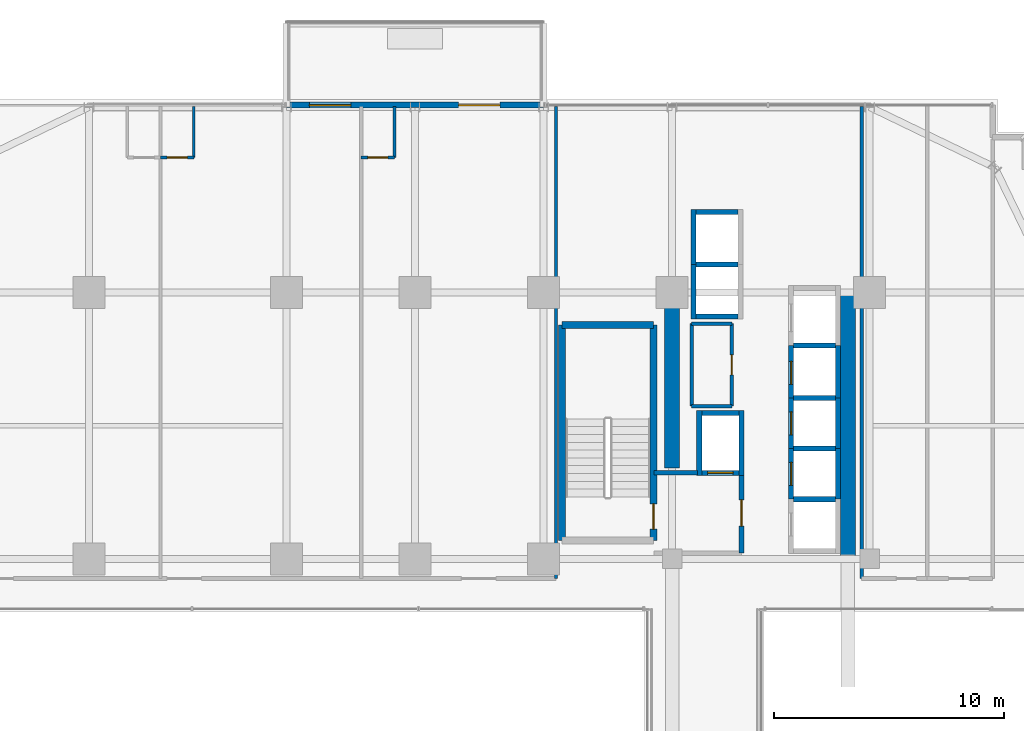
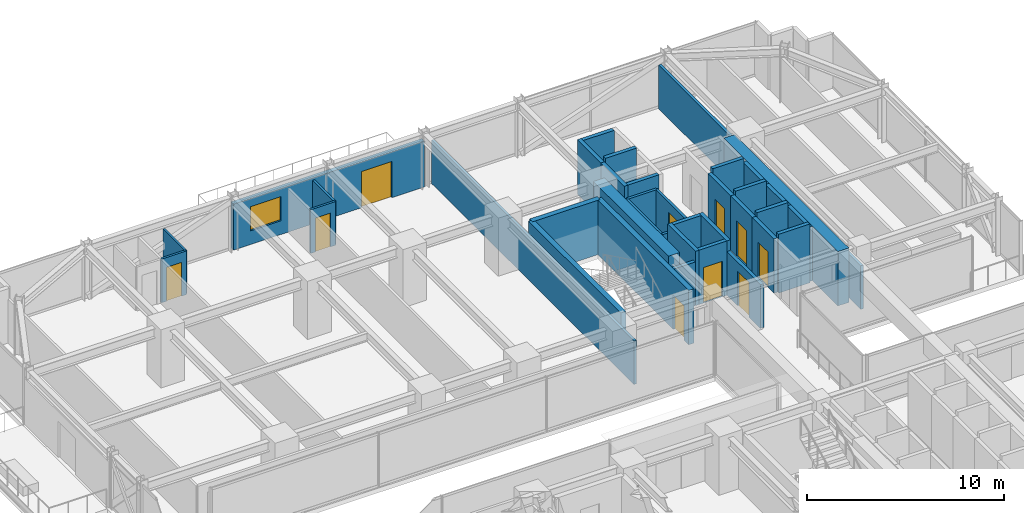
# One storey, part 38 of 43: 37 walls, 10 doors, 1 window, 11 openings.
"""IFC4 building model written with IfcOpenShell, lengths in metres."""

import ifcopenshell
import ifcopenshell.guid

model = None  # the IFC model being written
_history = None  # IfcOwnerHistory: only IFC2X3 demands one
_inside = {}  # id of a spatial element -> (the spatial element, [elements in it])
_under = {}  # id of a project, library or spatial element -> (it, [spatial elements below it])
_declared = {}  # id of a project -> (the project, [libraries it declares])
_typed = {}  # id of a type object -> (the type object, [elements of that type])
_made_of = {}  # id of a material, layer set ... -> (it, [elements and type objects made of it])


def new_model(schema):
    """Start an empty IFC model of exactly this schema.

    Asked for "IFC4X3", IfcOpenShell would pick the latest addendum, in which some entities
    have other attributes; the version numbers below select the first issue.
    IFC2X3 requires an IfcOwnerHistory on every rooted entity: one is made here for all.
    """
    global model, _history
    if schema == "IFC4X3":
        model = ifcopenshell.file(schema_version=(4, 3, 0, 0))
    else:
        model = ifcopenshell.file(schema=schema)
    _inside.clear()
    _under.clear()
    _declared.clear()
    _typed.clear()
    _made_of.clear()
    _history = None
    if model.schema == "IFC2X3":
        org = make("IfcOrganization", Name="unknown")
        user = make(
            "IfcPersonAndOrganization",
            ThePerson=make("IfcPerson", FamilyName="unknown"),
            TheOrganization=org,
        )
        app = make(
            "IfcApplication",
            ApplicationDeveloper=org,
            Version="unknown",
            ApplicationFullName="unknown",
            ApplicationIdentifier="unknown",
        )
        _history = make(
            "IfcOwnerHistory",
            OwningUser=user,
            OwningApplication=app,
            ChangeAction="ADDED",
            CreationDate=0,
        )
    return model


def make(cls, **values):
    """One entity of the class cls with the attributes given. An attribute that is None is left unset."""
    return model.create_entity(
        cls, **{name: value for name, value in values.items() if value is not None}
    )


def rooted(cls, **values):
    """An entity with a GlobalId (a new one), such as an element, a storey or a relation."""
    return make(cls, GlobalId=ifcopenshell.guid.new(), OwnerHistory=_history, **values)


def si_unit(unit_type, name, prefix=None):
    """IfcSIUnit, for example si_unit("LENGTHUNIT", "METRE", prefix="MILLI")."""
    return make("IfcSIUnit", UnitType=unit_type, Prefix=prefix, Name=name)


def assignment(units):
    """IfcUnitAssignment: the units of a project."""
    return None if units is None else make("IfcUnitAssignment", Units=units)


def point(xyz):
    """IfcCartesianPoint."""
    return None if xyz is None else make("IfcCartesianPoint", Coordinates=xyz)


def direction(xyz):
    """IfcDirection."""
    return None if xyz is None else make("IfcDirection", DirectionRatios=xyz)


def frame(location, z_axis=None, x_axis=None):
    """IfcAxis2Placement3D, a coordinate frame: its origin and axes. An axis left out is left unset."""
    return make(
        "IfcAxis2Placement3D",
        Location=point(location),
        Axis=direction(z_axis),
        RefDirection=direction(x_axis),
    )


def frame_2d(location, x_axis=None):
    """IfcAxis2Placement2D, a coordinate frame in the plane: its origin and x axis."""
    return make(
        "IfcAxis2Placement2D", Location=point(location), RefDirection=direction(x_axis)
    )


def origin():
    """The frame at (0, 0, 0) with its axes left unset."""
    return frame((0.0, 0.0, 0.0))


def place(relative_to, where):
    """IfcLocalPlacement: puts the frame where relative to a parent placement (None: the world)."""
    return make(
        "IfcLocalPlacement", PlacementRelTo=relative_to, RelativePlacement=where
    )


def context(
    kind, dimensions, precision=None, world=None, true_north=None, identifier=None
):
    """IfcGeometricRepresentationContext, for example the 3D "Model" context."""
    return make(
        "IfcGeometricRepresentationContext",
        ContextIdentifier=identifier,
        ContextType=kind,
        CoordinateSpaceDimension=dimensions,
        Precision=precision,
        WorldCoordinateSystem=world,
        TrueNorth=true_north,
    )


def subcontext(parent, identifier, kind, view, scale=None):
    """IfcGeometricRepresentationSubContext, for example "Body" below "Model"."""
    return make(
        "IfcGeometricRepresentationSubContext",
        ContextIdentifier=identifier,
        ContextType=kind,
        ParentContext=parent,
        TargetScale=scale,
        TargetView=view,
    )


def project(units=None, contexts=None):
    """IfcProject with its units and contexts."""
    return rooted(
        "IfcProject",
        Name="project",
        RepresentationContexts=contexts,
        UnitsInContext=assignment(units),
    )


def spatial(cls, under=None, at=None, **own):
    """A site, building, storey or space (cls), placed at a placement, below another one or the project."""
    s = rooted(cls, ObjectPlacement=at, **own)
    if under is not None:
        _under.setdefault(under.id(), (under, []))[1].append(s)
    return s


def profile(cls, at=None, kind="AREA", **sizes):
    """A parametric profile (cls). Its sizes go by their IFC names, for example OverallWidth=200.0."""
    return make(cls, ProfileType=kind, Position=at, **sizes)


def rectangle(**sizes):
    """IfcRectangleProfileDef."""
    return profile("IfcRectangleProfileDef", **sizes)


def extrude(swept, where, along, depth):
    """IfcExtrudedAreaSolid: the profile swept, set in the frame where, extruded along a direction by depth."""
    return make(
        "IfcExtrudedAreaSolid",
        SweptArea=swept,
        Position=where,
        ExtrudedDirection=direction(along),
        Depth=depth,
    )


def shape(context_of_items, identifier, shape_type, items):
    """IfcShapeRepresentation: the items that make up one representation, for example the "Body"."""
    return make(
        "IfcShapeRepresentation",
        ContextOfItems=context_of_items,
        RepresentationIdentifier=identifier,
        RepresentationType=shape_type,
        Items=items,
    )


def source(mapping_origin, context_of_items, identifier, shape_type, items):
    """IfcRepresentationMap: a shape defined once, which mapped items show again and again."""
    return make(
        "IfcRepresentationMap",
        MappingOrigin=mapping_origin,
        MappedRepresentation=shape(context_of_items, identifier, shape_type, items),
    )


def transform(
    local_origin,
    x_axis=None,
    y_axis=None,
    z_axis=None,
    scale=None,
    scale2=None,
    scale3=None,
    uniform=True,
):
    """IfcCartesianTransformationOperator3D, or its non-uniform kind. x_axis, y_axis, z_axis: its Axis1, 2, 3."""
    if uniform:
        return make(
            "IfcCartesianTransformationOperator3D",
            Axis1=direction(x_axis),
            Axis2=direction(y_axis),
            LocalOrigin=point(local_origin),
            Scale=scale,
            Axis3=direction(z_axis),
        )
    return make(
        "IfcCartesianTransformationOperator3DnonUniform",
        Axis1=direction(x_axis),
        Axis2=direction(y_axis),
        LocalOrigin=point(local_origin),
        Scale=scale,
        Axis3=direction(z_axis),
        Scale2=scale2,
        Scale3=scale3,
    )


def mapped(mapping_source, mapping_target):
    """IfcMappedItem: shows the shape of a source again, moved by a transform."""
    return make(
        "IfcMappedItem", MappingSource=mapping_source, MappingTarget=mapping_target
    )


def material(Name=None, Category=None):
    """IfcMaterial."""
    return make("IfcMaterial", Name=Name, Category=Category)


def layer(
    of_material, thickness, ventilated=None, Name=None, Category=None, Priority=None
):
    """IfcMaterialLayer: one layer of a wall or slab, of a material (None: an air gap)."""
    return make(
        "IfcMaterialLayer",
        Material=of_material,
        LayerThickness=thickness,
        IsVentilated=ventilated,
        Name=Name,
        Category=Category,
        Priority=Priority,
    )


def layer_set(layers, Name=None):
    """IfcMaterialLayerSet."""
    return make("IfcMaterialLayerSet", MaterialLayers=layers, LayerSetName=Name)


def made_of(thing, what):
    """Note that an element or type object is made of a material, layer set ...; save() writes the relation."""
    if what is not None:
        _made_of.setdefault(what.id(), (what, []))[1].append(thing)
    return thing


def type_object(cls, material=None, **own):
    """A type object (cls), such as IfcWallType, which elements share."""
    return made_of(rooted(cls, **own), material)


def element(
    cls,
    number,
    at=None,
    inside=None,
    cuts=None,
    type_object=None,
    material=None,
    context=None,
    identifier="Body",
    shape_type=None,
    held_by="IfcProductDefinitionShape",
    body=None,
    shapes=None,
    **own,
):
    """One element of the class cls, such as IfcWall. Its Tag is "e" and its number.

    at: its placement. inside: the storey or other place that contains it. cuts: it is an
    opening in that element (IfcRelVoidsElement). A single representation is given by context,
    identifier, shape_type and body (its items); several are given by shapes. held_by: the class
    of the entity that holds the representations. save() writes the other relations.
    """
    e = rooted(cls, Tag="e%d" % number, ObjectPlacement=at, **own)
    if body is not None:
        shapes = [shape(context, identifier, shape_type, body)]
    if shapes is not None:
        e.Representation = make(held_by, Representations=shapes)
    if inside is not None:
        _inside.setdefault(inside.id(), (inside, []))[1].append(e)
    if cuts is not None:
        rooted(
            "IfcRelVoidsElement", RelatingBuildingElement=cuts, RelatedOpeningElement=e
        )
    if type_object is not None:
        _typed.setdefault(type_object.id(), (type_object, []))[1].append(e)
    return made_of(e, material)


def fill(opening, filler):
    """IfcRelFillsElement: the door or window that sits in an opening."""
    return rooted(
        "IfcRelFillsElement",
        RelatingOpeningElement=opening,
        RelatedBuildingElement=filler,
    )


def aggregate(whole, parts):
    """IfcRelAggregates: a whole, such as a stair, and the parts it consists of."""
    return rooted("IfcRelAggregates", RelatingObject=whole, RelatedObjects=parts)


def save(model, path):
    """Write the relations noted so far, then the file.

    IfcRelAggregates (storeys below a building ...), IfcRelContainedInSpatialStructure (elements
    in a storey), IfcRelDefinesByType, IfcRelAssociatesMaterial and IfcRelDeclares: one each for
    every whole, place, type object, material and project.
    """
    for whole, parts in _under.values():
        aggregate(whole, parts)
    for where, things in _inside.values():
        rooted(
            "IfcRelContainedInSpatialStructure",
            RelatedElements=things,
            RelatingStructure=where,
        )
    for kind, things in _typed.values():
        rooted("IfcRelDefinesByType", RelatedObjects=things, RelatingType=kind)
    for what, things in _made_of.values():
        rooted("IfcRelAssociatesMaterial", RelatedObjects=things, RelatingMaterial=what)
    for by, libraries in _declared.values():
        rooted("IfcRelDeclares", RelatingContext=by, RelatedDefinitions=libraries)
    model.write(path)


model = new_model("IFC4")

# Units and contexts
model_context = context("Model", 3, precision=1e-05, world=origin(), true_north=direction((0.0, 1.0)))
body_context = subcontext(model_context, "Body", "Model", "MODEL_VIEW")
ifc_project = project(units=[si_unit("LENGTHUNIT", "METRE"), si_unit("AREAUNIT", "SQUARE_METRE"), si_unit("VOLUMEUNIT", "CUBIC_METRE"), si_unit("PLANEANGLEUNIT", "RADIAN"), si_unit("MASSUNIT", "GRAM", prefix="KILO")], contexts=[model_context])

# Site, building, storey
site_placement = place(None, origin())
site = spatial("IfcSite", under=ifc_project, at=site_placement, CompositionType="ELEMENT")
building_placement = place(site_placement, origin())
building = spatial("IfcBuilding", under=site, at=building_placement, Name="Nahalor Promenade Grand Hotel", CompositionType="ELEMENT")
storey_placement = place(building_placement, frame((0.0, 0.0, 47.0)))
storey = spatial("IfcBuildingStorey", under=building, at=storey_placement, Name="L10", CompositionType="ELEMENT", Elevation=47.0)

# Walls
ifc_material_1 = material(Name="Concrete B-60 (C50/60)", Category="concrete")
ifc_layer_1 = layer(ifc_material_1, 0.64990234375)
ifc_layer_set_1 = layer_set([ifc_layer_1], Name="Concrete B-60 (C50/60)")
wall_type_1 = type_object("IfcWallType", Name="Wall-CoreShear-650", PredefinedType="SHEAR", material=ifc_layer_set_1)
shared_shape_1 = source(origin(), body_context, "Body", "SweptSolid", [
    extrude(rectangle(XDim=7.64990234375, YDim=0.64990234375, at=frame_2d((3.824951171875, 0.0))), origin(), (0.0, 0.0, 1.0), 3.3701171875),
])
wall_1_placement = place(storey_placement, frame((8.39990234375, 9.35009765625, 0.0), z_axis=(0.0, 0.0, 1.0), x_axis=(0.0, 1.0, 0.0)))
element("IfcWall", 1, at=wall_1_placement, inside=storey, type_object=wall_type_1, Name="CWALL-L10-NW", PredefinedType="SHEAR", context=body_context, shape_type="MappedRepresentation", body=[
    mapped(shared_shape_1, transform((0.0, 0.0, 0.0), scale=1.0)),
])
shared_shape_2 = source(origin(), body_context, "Body", "SweptSolid", [
    extrude(rectangle(XDim=11.60009765625, YDim=0.64990234375, at=frame_2d((5.800048828125, 0.0))), origin(), (0.0, 0.0, 1.0), 3.3701171875),
])
wall_2_placement = place(storey_placement, frame((16.050048828125, 5.39990234375, 0.0), z_axis=(0.0, 0.0, 1.0), x_axis=(0.0, 1.0, 0.0)))
element("IfcWall", 2, at=wall_2_placement, inside=storey, type_object=wall_type_1, Name="CWALL-L10-NE", PredefinedType="SHEAR", context=body_context, shape_type="MappedRepresentation", body=[
    mapped(shared_shape_2, transform((0.0, 0.0, 0.0), scale=1.0)),
])
ifc_material_2 = material(Name="Concrete B-50 (C40/50)", Category="concrete")
ifc_layer_2 = layer(ifc_material_2, 0.300048828125)
ifc_layer_set_2 = layer_set([ifc_layer_2], Name="Concrete B-50 (C40/50)")
wall_type_2 = type_object("IfcWallType", Name="Wall-ShaftShear-300", PredefinedType="SHEAR", material=ifc_layer_set_2)
shared_shape_3 = source(origin(), body_context, "Body", "SweptSolid", [
    extrude(rectangle(XDim=3.97998046875, YDim=0.300048828125, at=frame_2d((1.989990234375, 0.0))), origin(), (0.0, 0.0, 1.0), 3.3701171875),
])
wall_3_placement = place(storey_placement, frame((3.610107421875, 15.590087890625, 0.0), z_axis=(0.0, 0.0, 1.0), x_axis=(1.0, 0.0, 0.0)))
element("IfcWall", 3, at=wall_3_placement, inside=storey, type_object=wall_type_2, Name="L10 Exit Stair ST1 Shaft Wall N", PredefinedType="SHEAR", context=body_context, shape_type="MappedRepresentation", body=[
    mapped(shared_shape_3, transform((0.0, 0.0, 0.0), scale=1.0)),
])
shared_shape_4 = source(origin(), body_context, "Body", "SweptSolid", [
    extrude(rectangle(XDim=9.380126953125, YDim=0.300048828125, at=frame_2d((4.68994140625, 0.0))), origin(), (0.0, 0.0, 1.0), 3.3701171875),
])
wall_4_placement = place(storey_placement, frame((3.610107421875, 6.2099609375, 0.0), z_axis=(0.0, 0.0, 1.0), x_axis=(0.0, 1.0, 0.0)))
element("IfcWall", 4, at=wall_4_placement, inside=storey, type_object=wall_type_2, Name="L10 Exit Stair ST1 Shaft Wall W", PredefinedType="SHEAR", context=body_context, shape_type="MappedRepresentation", body=[
    mapped(shared_shape_4, transform((0.0, 0.0, 0.0), scale=1.0)),
])

# Wall, opening, door
wall_5_placement = place(storey_placement, frame((7.590087890625, 6.2099609375, 0.0), z_axis=(0.0, 0.0, 1.0), x_axis=(0.0, 1.0, 0.0)))
wall_5 = element("IfcWall", 5, at=wall_5_placement, inside=storey, type_object=wall_type_2, Name="L10 Exit Stair ST1 Shaft Wall E", PredefinedType="SHEAR", context=body_context, shape_type="MappedRepresentation", body=[
    mapped(shared_shape_4, transform((0.0, 0.0, 0.0), scale=1.0)),
])
opening_1_placement = place(wall_5_placement, frame((0.489990234375, 0.0, 0.0)))
opening_1 = element("IfcOpeningElement", 6, at=opening_1_placement, cuts=wall_5, Name="Opening D-ST1", PredefinedType="OPENING", context=body_context, shape_type="SweptSolid", body=[
    extrude(rectangle(XDim=1.10009765625, YDim=2.14990234375, at=frame_2d((0.550048828125, 1.074951171875))), frame((0.0, 0.159912109375, 0.0), z_axis=(0.0, -1.0, 0.0), x_axis=(1.0, 0.0, 0.0)), (0.0, 0.0, 1.0), 0.320068359375),
])
ifc_material_3 = material(Name="Steel S355JR", Category="steel")
door_type_1 = type_object("IfcDoorType", Name="Door-StairFire-1100", OperationType="NOTDEFINED", PredefinedType="DOOR", material=ifc_material_3)
shared_shape_5 = source(origin(), body_context, "Body", "SweptSolid", [
    extrude(rectangle(XDim=1.10009765625, YDim=2.14990234375, at=frame_2d((0.550048828125, 1.074951171875))), frame((0.0, 0.02490234375, 0.0), z_axis=(0.0, -1.0, 0.0), x_axis=(1.0, 0.0, 0.0)), (0.0, 0.0, 1.0), 0.050048828125),
])
door_1_placement = place(opening_1_placement, origin())
door_1 = element("IfcDoor", 7, at=door_1_placement, inside=storey, type_object=door_type_1, Name="DR-STAIR-ST1-L10", OperationType="SINGLE_SWING_LEFT", OverallHeight=2.14990234375, OverallWidth=1.10009765625, PredefinedType="DOOR", context=body_context, shape_type="MappedRepresentation", body=[
    mapped(shared_shape_5, transform((0.0, 0.0, 0.0), scale=1.0)),
])
fill(opening_1, door_1)

# Walls
ifc_layer_3 = layer(ifc_material_2, 0.219970703125)
ifc_layer_set_3 = layer_set([ifc_layer_3], Name="Concrete B-50 (C40/50)")
wall_type_3 = type_object("IfcWallType", Name="Wall-LiftShaft-220", PredefinedType="SHEAR", material=ifc_layer_set_3)
shared_shape_6 = source(origin(), body_context, "Body", "SweptSolid", [
    extrude(rectangle(XDim=1.820068359375, YDim=0.219970703125, at=frame_2d((0.91015625, 0.0))), origin(), (0.0, 0.0, 1.0), 3.3701171875),
])
for number, where, z_axis, x_axis, name in (
    (8, (9.43994140625, 15.949951171875, 0.0), (0.0, 0.0, 1.0), (1.0, 0.0, 0.0), "L10 Lift OB1 Hoistway Wall S"),
    (9, (9.43994140625, 20.5, 0.0), (0.0, 0.0, 1.0), (1.0, 0.0, 0.0), "L10 Lift OB2 Hoistway Wall N"),
):
    element("IfcWall", number, at=place(storey_placement, frame(where, z_axis=z_axis, x_axis=x_axis)), inside=storey, type_object=wall_type_3, Name=name, PredefinedType="SHEAR", context=body_context, shape_type="MappedRepresentation", body=[
        mapped(shared_shape_6, transform((0.0, 0.0, 0.0), scale=1.0)),
    ])
shared_shape_7 = source(origin(), body_context, "Body", "SweptSolid", [
    extrude(rectangle(XDim=1.820068359375, YDim=0.219970703125, at=frame_2d((0.91015625, 0.0))), origin(), (0.0, 0.0, 1.0), 3.64990234375),
])
for number, where, z_axis, x_axis, name in (
    (10, (13.68994140625, 8.0, 0.0), (0.0, 0.0, 1.0), (1.0, 0.0, 0.0), "L10 Lift PL1 Hoistway Wall N"),
    (11, (13.68994140625, 10.199951171875, 0.0), (0.0, 0.0, 1.0), (1.0, 0.0, 0.0), "L10 Lift PL2 Hoistway Wall N"),
    (12, (13.68994140625, 12.39990234375, 0.0), (0.0, 0.0, 1.0), (1.0, 0.0, 0.0), "L10 Lift PL3 Hoistway Wall N"),
    (13, (13.68994140625, 14.699951171875, 0.0), (0.0, 0.0, 1.0), (1.0, 0.0, 0.0), "L10 Lift PL4 Hoistway Wall N"),
    (14, (9.43994140625, 18.22509765625, 0.0), (0.0, 0.0, 1.0), (1.0, 0.0, 0.0), "L10 Lift OB1 Hoistway Wall N"),
):
    element("IfcWall", number, at=place(storey_placement, frame(where, z_axis=z_axis, x_axis=x_axis)), inside=storey, type_object=wall_type_3, Name=name, PredefinedType="SHEAR", context=body_context, shape_type="MappedRepresentation", body=[
        mapped(shared_shape_7, transform((0.0, 0.0, 0.0), scale=1.0)),
    ])

# Wall, opening, door
shared_shape_8 = source(origin(), body_context, "Body", "SweptSolid", [
    extrude(rectangle(XDim=2.199951171875, YDim=0.219970703125, at=frame_2d((1.10009765625, 0.0))), origin(), (0.0, 0.0, 1.0), 3.3701171875),
])
wall_6_placement = place(storey_placement, frame((13.580078125, 8.0, 0.0), z_axis=(0.0, 0.0, 1.0), x_axis=(0.0, 1.0, 0.0)))
wall_6 = element("IfcWall", 15, at=wall_6_placement, inside=storey, type_object=wall_type_3, Name="L10 Lift PL2 Hoistway Wall W", PredefinedType="SHEAR", context=body_context, shape_type="MappedRepresentation", body=[
    mapped(shared_shape_8, transform((0.0, 0.0, 0.0), scale=1.0)),
])
opening_2_placement = place(wall_6_placement, frame((0.60009765625, 0.0, 0.0)))
opening_2 = element("IfcOpeningElement", 16, at=opening_2_placement, cuts=wall_6, Name="Opening LD-01", PredefinedType="OPENING", context=body_context, shape_type="SweptSolid", body=[
    extrude(rectangle(XDim=1.0, YDim=2.199951171875, at=frame_2d((0.5, 1.10009765625))), frame((0.0, 0.119873046875, 0.0), z_axis=(0.0, -1.0, 0.0), x_axis=(1.0, 0.0, 0.0)), (0.0, 0.0, 1.0), 0.239990234375),
])
door_type_2 = type_object("IfcDoorType", Name="Door-LiftLanding-1000", OperationType="DOUBLE_DOOR_SLIDING", PredefinedType="DOOR", material=ifc_material_3)
shared_shape_9 = source(origin(), body_context, "Body", "SweptSolid", [
    extrude(rectangle(XDim=1.0, YDim=2.199951171875, at=frame_2d((0.5, 1.10009765625))), frame((0.0, 0.02490234375, 0.0), z_axis=(0.0, -1.0, 0.0), x_axis=(1.0, 0.0, 0.0)), (0.0, 0.0, 1.0), 0.050048828125),
])
door_2_placement = place(opening_2_placement, origin())
door_2 = element("IfcDoor", 17, at=door_2_placement, inside=storey, type_object=door_type_2, Name="DR-LIFT-PL2-L10", OperationType="DOUBLE_DOOR_SLIDING", OverallHeight=2.199951171875, OverallWidth=1.0, PredefinedType="DOOR", context=body_context, shape_type="MappedRepresentation", body=[
    mapped(shared_shape_9, transform((0.0, 0.0, 0.0), scale=1.0)),
])
fill(opening_2, door_2)

# Wall
wall_7_placement = place(storey_placement, frame((15.6201171875, 8.0, 0.0), z_axis=(0.0, 0.0, 1.0), x_axis=(0.0, 1.0, 0.0)))
element("IfcWall", 18, at=wall_7_placement, inside=storey, type_object=wall_type_3, Name="L10 Lift PL2 Hoistway Wall E", PredefinedType="SHEAR", context=body_context, shape_type="MappedRepresentation", body=[
    mapped(shared_shape_8, transform((0.0, 0.0, 0.0), scale=1.0)),
])

# Wall, opening, door
wall_8_placement = place(storey_placement, frame((13.580078125, 10.199951171875, 0.0), z_axis=(0.0, 0.0, 1.0), x_axis=(0.0, 1.0, 0.0)))
wall_8 = element("IfcWall", 19, at=wall_8_placement, inside=storey, type_object=wall_type_3, Name="L10 Lift PL3 Hoistway Wall W", PredefinedType="SHEAR", context=body_context, shape_type="MappedRepresentation", body=[
    mapped(shared_shape_8, transform((0.0, 0.0, 0.0), scale=1.0)),
])
opening_3_placement = place(wall_8_placement, frame((0.60009765625, 0.0, 0.0)))
opening_3 = element("IfcOpeningElement", 20, at=opening_3_placement, cuts=wall_8, Name="Opening LD-01", PredefinedType="OPENING", context=body_context, shape_type="SweptSolid", body=[
    extrude(rectangle(XDim=1.0, YDim=2.199951171875, at=frame_2d((0.5, 1.10009765625))), frame((0.0, 0.119873046875, 0.0), z_axis=(0.0, -1.0, 0.0), x_axis=(1.0, 0.0, 0.0)), (0.0, 0.0, 1.0), 0.239990234375),
])
door_3_placement = place(opening_3_placement, origin())
door_3 = element("IfcDoor", 21, at=door_3_placement, inside=storey, type_object=door_type_2, Name="DR-LIFT-PL3-L10", OperationType="DOUBLE_DOOR_SLIDING", OverallHeight=2.199951171875, OverallWidth=1.0, PredefinedType="DOOR", context=body_context, shape_type="MappedRepresentation", body=[
    mapped(shared_shape_9, transform((0.0, 0.0, 0.0), scale=1.0)),
])
fill(opening_3, door_3)

# Wall
wall_9_placement = place(storey_placement, frame((15.6201171875, 10.199951171875, 0.0), z_axis=(0.0, 0.0, 1.0), x_axis=(0.0, 1.0, 0.0)))
element("IfcWall", 22, at=wall_9_placement, inside=storey, type_object=wall_type_3, Name="L10 Lift PL3 Hoistway Wall E", PredefinedType="SHEAR", context=body_context, shape_type="MappedRepresentation", body=[
    mapped(shared_shape_8, transform((0.0, 0.0, 0.0), scale=1.0)),
])

# Wall, opening, door
shared_shape_10 = source(origin(), body_context, "Body", "SweptSolid", [
    extrude(rectangle(XDim=2.300048828125, YDim=0.219970703125, at=frame_2d((1.14990234375, 0.0))), origin(), (0.0, 0.0, 1.0), 3.3701171875),
])
wall_10_placement = place(storey_placement, frame((13.580078125, 12.39990234375, 0.0), z_axis=(0.0, 0.0, 1.0), x_axis=(0.0, 1.0, 0.0)))
wall_10 = element("IfcWall", 23, at=wall_10_placement, inside=storey, type_object=wall_type_3, Name="L10 Lift PL4 Hoistway Wall W", PredefinedType="SHEAR", context=body_context, shape_type="MappedRepresentation", body=[
    mapped(shared_shape_10, transform((0.0, 0.0, 0.0), scale=1.0)),
])
opening_4_placement = place(wall_10_placement, frame((0.60009765625, 0.0, 0.0)))
opening_4 = element("IfcOpeningElement", 24, at=opening_4_placement, cuts=wall_10, Name="Opening LD-01", PredefinedType="OPENING", context=body_context, shape_type="SweptSolid", body=[
    extrude(rectangle(XDim=1.0, YDim=2.199951171875, at=frame_2d((0.5, 1.10009765625))), frame((0.0, 0.119873046875, 0.0), z_axis=(0.0, -1.0, 0.0), x_axis=(1.0, 0.0, 0.0)), (0.0, 0.0, 1.0), 0.239990234375),
])
door_4_placement = place(opening_4_placement, origin())
door_4 = element("IfcDoor", 25, at=door_4_placement, inside=storey, type_object=door_type_2, Name="DR-LIFT-PL4-L10", OperationType="DOUBLE_DOOR_SLIDING", OverallHeight=2.199951171875, OverallWidth=1.0, PredefinedType="DOOR", context=body_context, shape_type="MappedRepresentation", body=[
    mapped(shared_shape_9, transform((0.0, 0.0, 0.0), scale=1.0)),
])
fill(opening_4, door_4)

# Walls
wall_11_placement = place(storey_placement, frame((15.6201171875, 12.39990234375, 0.0), z_axis=(0.0, 0.0, 1.0), x_axis=(0.0, 1.0, 0.0)))
element("IfcWall", 26, at=wall_11_placement, inside=storey, type_object=wall_type_3, Name="L10 Lift PL4 Hoistway Wall E", PredefinedType="SHEAR", context=body_context, shape_type="MappedRepresentation", body=[
    mapped(shared_shape_10, transform((0.0, 0.0, 0.0), scale=1.0)),
])
shared_shape_11 = source(origin(), body_context, "Body", "SweptSolid", [
    extrude(rectangle(XDim=2.385009765625, YDim=0.219970703125, at=frame_2d((1.1923828125, 0.0))), origin(), (0.0, 0.0, 1.0), 3.3701171875),
])
for number, where, z_axis, x_axis, name in (
    (27, (9.330078125, 15.840087890625, 0.0), (0.0, 0.0, 1.0), (0.0, 1.0, 0.0), "L10 Lift OB1 Hoistway Wall W"),
    (28, (9.330078125, 18.22509765625, 0.0), (0.0, 0.0, 1.0), (0.0, 1.0, 0.0), "L10 Lift OB2 Hoistway Wall W"),
):
    element("IfcWall", number, at=place(storey_placement, frame(where, z_axis=z_axis, x_axis=x_axis)), inside=storey, type_object=wall_type_3, Name=name, PredefinedType="SHEAR", context=body_context, shape_type="MappedRepresentation", body=[
        mapped(shared_shape_11, transform((0.0, 0.0, 0.0), scale=1.0)),
    ])
shared_shape_12 = source(origin(), body_context, "Body", "SweptSolid", [
    extrude(rectangle(XDim=2.820068359375, YDim=0.219970703125, at=frame_2d((1.41015625, 0.0))), origin(), (0.0, 0.0, 1.0), 3.3701171875),
])
for number, where, z_axis, x_axis, name in (
    (29, (9.580078125, 9.0400390625, 0.0), (0.0, 0.0, 1.0), (0.0, 1.0, 0.0), "L10 Lift FL1 Hoistway Wall W"),
    (30, (11.419921875, 9.0400390625, 0.0), (0.0, 0.0, 1.0), (0.0, 1.0, 0.0), "L10 Lift FL1 Hoistway Wall E"),
):
    element("IfcWall", number, at=place(storey_placement, frame(where, z_axis=z_axis, x_axis=x_axis)), inside=storey, type_object=wall_type_3, Name=name, PredefinedType="SHEAR", context=body_context, shape_type="MappedRepresentation", body=[
        mapped(shared_shape_12, transform((0.0, 0.0, 0.0), scale=1.0)),
    ])

# Wall, opening, door
shared_shape_13 = source(origin(), body_context, "Body", "SweptSolid", [
    extrude(rectangle(XDim=1.6201171875, YDim=0.219970703125, at=frame_2d((0.81005859375, 0.0))), origin(), (0.0, 0.0, 1.0), 3.3701171875),
])
wall_12_placement = place(storey_placement, frame((9.68994140625, 9.14990234375, 0.0), z_axis=(0.0, 0.0, 1.0), x_axis=(1.0, 0.0, 0.0)))
wall_12 = element("IfcWall", 31, at=wall_12_placement, inside=storey, type_object=wall_type_3, Name="L10 Lift FL1 Hoistway Wall S", PredefinedType="SHEAR", context=body_context, shape_type="MappedRepresentation", body=[
    mapped(shared_shape_13, transform((0.0, 0.0, 0.0), scale=1.0)),
])
opening_5_placement = place(wall_12_placement, frame((0.260009765625, 0.0, 0.0)))
opening_5 = element("IfcOpeningElement", 32, at=opening_5_placement, cuts=wall_12, Name="Opening LD-02", PredefinedType="OPENING", context=body_context, shape_type="SweptSolid", body=[
    extrude(rectangle(XDim=1.10009765625, YDim=2.199951171875, at=frame_2d((0.550048828125, 1.10009765625))), frame((0.0, 0.119873046875, 0.0), z_axis=(0.0, -1.0, 0.0), x_axis=(1.0, 0.0, 0.0)), (0.0, 0.0, 1.0), 0.239990234375),
])
door_type_3 = type_object("IfcDoorType", Name="Door-LiftFF-1100", OperationType="DOUBLE_DOOR_SLIDING", PredefinedType="DOOR", material=ifc_material_3)
shared_shape_14 = source(origin(), body_context, "Body", "SweptSolid", [
    extrude(rectangle(XDim=1.10009765625, YDim=2.199951171875, at=frame_2d((0.550048828125, 1.10009765625))), frame((0.0, 0.02490234375, 0.0), z_axis=(0.0, -1.0, 0.0), x_axis=(1.0, 0.0, 0.0)), (0.0, 0.0, 1.0), 0.050048828125),
])
door_5_placement = place(opening_5_placement, frame((1.10009765625, 0.0, 0.0), z_axis=(0.0, 0.0, 1.0), x_axis=(-1.0, 0.0, 0.0)))
door_5 = element("IfcDoor", 33, at=door_5_placement, inside=storey, type_object=door_type_3, Name="DR-LIFT-FL1-L10", OperationType="DOUBLE_DOOR_SLIDING", OverallHeight=2.199951171875, OverallWidth=1.10009765625, PredefinedType="DOOR", context=body_context, shape_type="MappedRepresentation", body=[
    mapped(shared_shape_14, transform((0.0, 0.0, 0.0), scale=1.0)),
])
fill(opening_5, door_5)

# Wall
wall_13_placement = place(storey_placement, frame((9.68994140625, 11.75, 0.0), z_axis=(0.0, 0.0, 1.0), x_axis=(1.0, 0.0, 0.0)))
element("IfcWall", 34, at=wall_13_placement, inside=storey, type_object=wall_type_3, Name="L10 Lift FL1 Hoistway Wall N", PredefinedType="SHEAR", context=body_context, shape_type="MappedRepresentation", body=[
    mapped(shared_shape_13, transform((0.0, 0.0, 0.0), scale=1.0)),
])

# Wall, openings, door, window
ifc_material_4 = material(Name="Concrete B-40 (C32/40)", Category="concrete")
ifc_layer_4 = layer(ifc_material_4, 0.260009765625)
ifc_layer_set_4 = layer_set([ifc_layer_4], Name="Concrete B-40 (C32/40)")
wall_type_4 = type_object("IfcWallType", Name="Wall-BalconyWall-260", PredefinedType="STANDARD", material=ifc_layer_set_4)
shared_shape_15 = source(origin(), body_context, "Body", "SweptSolid", [
    extrude(rectangle(XDim=11.199951171875, YDim=0.260009765625, at=frame_2d((5.60009765625, 0.0))), origin(), (0.0, 0.0, 1.0), 2.85009765625),
])
wall_14_placement = place(storey_placement, frame((-8.39990234375, 25.159912109375, 0.0), z_axis=(0.0, 0.0, 1.0), x_axis=(1.0, 0.0, 0.0)))
wall_14 = element("IfcWall", 35, at=wall_14_placement, inside=storey, type_object=wall_type_4, Name="W-L10-BALC-N-2", PredefinedType="STANDARD", context=body_context, shape_type="MappedRepresentation", body=[
    mapped(shared_shape_15, transform((0.0, 0.0, 0.0), scale=1.0)),
])
opening_6_placement = place(wall_14_placement, frame((7.5, 0.0, 0.0)))
opening_6 = element("IfcOpeningElement", 36, at=opening_6_placement, cuts=wall_14, Name="Opening D-BC1", PredefinedType="OPENING", context=body_context, shape_type="SweptSolid", body=[
    extrude(rectangle(XDim=1.800048828125, YDim=2.25, at=frame_2d((0.89990234375, 1.125))), frame((0.0, 0.139892578125, 0.0), z_axis=(0.0, -1.0, 0.0), x_axis=(1.0, 0.0, 0.0)), (0.0, 0.0, 1.0), 0.280029296875),
])
opening_7_placement = place(wall_14_placement, frame((1.0048828125, 0.0, 0.85009765625)))
opening_7 = element("IfcOpeningElement", 37, at=opening_7_placement, cuts=wall_14, Name="Opening WN-01", PredefinedType="OPENING", context=body_context, shape_type="SweptSolid", body=[
    extrude(rectangle(XDim=1.800048828125, YDim=1.5, at=frame_2d((0.89990234375, 0.75))), frame((0.0, 0.139892578125, 0.0), z_axis=(0.0, -1.0, 0.0), x_axis=(1.0, 0.0, 0.0)), (0.0, 0.0, 1.0), 0.280029296875),
])
ifc_material_5 = material(Name="Anodised Bronze Aluminium EN AW-6063 T6", Category="aluminium")
door_type_4 = type_object("IfcDoorType", Name="Door-BalconySlide-1800", OperationType="DOUBLE_DOOR_SLIDING", PredefinedType="DOOR", material=ifc_material_5)
shared_shape_16 = source(origin(), body_context, "Body", "SweptSolid", [
    extrude(rectangle(XDim=1.800048828125, YDim=2.25, at=frame_2d((0.89990234375, 1.125))), frame((0.0, 0.02490234375, 0.0), z_axis=(0.0, -1.0, 0.0), x_axis=(1.0, 0.0, 0.0)), (0.0, 0.0, 1.0), 0.050048828125),
])
door_6_placement = place(opening_6_placement, origin())
door_6 = element("IfcDoor", 38, at=door_6_placement, inside=storey, type_object=door_type_4, Name="DR-L10-BALC-N-2", OperationType="DOUBLE_DOOR_SLIDING", OverallHeight=2.25, OverallWidth=1.800048828125, PredefinedType="DOOR", context=body_context, shape_type="MappedRepresentation", body=[
    mapped(shared_shape_16, transform((0.0, 0.0, 0.0), scale=1.0)),
])
fill(opening_6, door_6)
ifc_material_6 = material(Name="Low-E Laminated Solar Glass", Category="glass")
window_type = type_object("IfcWindowType", Name="Win-ChicagoBay-1800x1500", PartitioningType="SINGLE_PANEL", PredefinedType="WINDOW", material=ifc_material_6)
shared_shape_17 = source(origin(), body_context, "Body", "SweptSolid", [
    extrude(rectangle(XDim=1.800048828125, YDim=1.5, at=frame_2d((0.89990234375, 0.75))), frame((0.0, 0.030029296875, 0.0), z_axis=(0.0, -1.0, 0.0), x_axis=(1.0, 0.0, 0.0)), (0.0, 0.0, 1.0), 0.06005859375),
])
window_placement = place(opening_7_placement, origin())
window = element("IfcWindow", 39, at=window_placement, inside=storey, type_object=window_type, Name="WN-L10-BALC-N-2-1", OverallHeight=1.5, OverallWidth=1.800048828125, PartitioningType="SINGLE_PANEL", PredefinedType="WINDOW", context=body_context, shape_type="MappedRepresentation", body=[
    mapped(shared_shape_17, transform((0.0, 0.0, 0.0), scale=1.0)),
])
fill(opening_7, window)

# Wall
ifc_layer_5 = layer(ifc_material_4, 0.199951171875)
ifc_layer_set_5 = layer_set([ifc_layer_5], Name="Concrete B-40 (C32/40)")
wall_type_5 = type_object("IfcWallType", Name="Wall-PartFire-200", PredefinedType="PARTITIONING", material=ifc_layer_set_5)
shared_shape_18 = source(origin(), body_context, "Body", "SweptSolid", [
    extrude(rectangle(XDim=1.89990234375, YDim=0.199951171875, at=frame_2d((0.949951171875, 0.0))), origin(), (0.0, 0.0, 1.0), 2.7099609375),
])
wall_15_placement = place(storey_placement, frame((7.60009765625, 9.14990234375, 0.0), z_axis=(0.0, 0.0, 1.0), x_axis=(1.0, 0.0, 0.0)))
element("IfcWall", 40, at=wall_15_placement, inside=storey, type_object=wall_type_5, Name="W-L10-FF1-N", PredefinedType="PARTITIONING", context=body_context, shape_type="MappedRepresentation", body=[
    mapped(shared_shape_18, transform((0.0, 0.0, 0.0), scale=1.0)),
])

# Wall, opening, door
shared_shape_19 = source(origin(), body_context, "Body", "SweptSolid", [
    extrude(rectangle(XDim=3.5, YDim=0.199951171875, at=frame_2d((1.75, 0.0))), origin(), (0.0, 0.0, 1.0), 2.7099609375),
])
wall_16_placement = place(storey_placement, frame((11.419921875, 5.64990234375, 0.0), z_axis=(0.0, 0.0, 1.0), x_axis=(0.0, 1.0, 0.0)))
wall_16 = element("IfcWall", 41, at=wall_16_placement, inside=storey, type_object=wall_type_5, Name="W-L10-FF1-E", PredefinedType="PARTITIONING", context=body_context, shape_type="MappedRepresentation", body=[
    mapped(shared_shape_19, transform((0.0, 0.0, 0.0), scale=1.0)),
])
opening_8_placement = place(wall_16_placement, frame((1.175048828125, 0.0, 0.0)))
opening_8 = element("IfcOpeningElement", 42, at=opening_8_placement, cuts=wall_16, Name="Opening D-FF1", PredefinedType="OPENING", context=body_context, shape_type="SweptSolid", body=[
    extrude(rectangle(XDim=1.14990234375, YDim=2.14990234375, at=frame_2d((0.574951171875, 1.074951171875))), frame((0.0, 0.10986328125, 0.0), z_axis=(0.0, -1.0, 0.0), x_axis=(1.0, 0.0, 0.0)), (0.0, 0.0, 1.0), 0.219970703125),
])
door_type_5 = type_object("IfcDoorType", Name="Door-FFLobby-1150", OperationType="NOTDEFINED", PredefinedType="DOOR", material=ifc_material_3)
shared_shape_20 = source(origin(), body_context, "Body", "SweptSolid", [
    extrude(rectangle(XDim=1.14990234375, YDim=2.14990234375, at=frame_2d((0.574951171875, 1.074951171875))), frame((0.0, 0.02490234375, 0.0), z_axis=(0.0, -1.0, 0.0), x_axis=(1.0, 0.0, 0.0)), (0.0, 0.0, 1.0), 0.050048828125),
])
door_7_placement = place(opening_8_placement, frame((1.14990234375, 0.0, 0.0), z_axis=(0.0, 0.0, 1.0), x_axis=(-1.0, 0.0, 0.0)))
door_7 = element("IfcDoor", 43, at=door_7_placement, inside=storey, type_object=door_type_5, Name="DR-L10-FFL1", OperationType="SINGLE_SWING_RIGHT", OverallHeight=2.14990234375, OverallWidth=1.14990234375, PredefinedType="DOOR", context=body_context, shape_type="MappedRepresentation", body=[
    mapped(shared_shape_20, transform((0.0, 0.0, 0.0), scale=1.0)),
])
fill(opening_8, door_7)

# Walls
ifc_material_7 = material(Name="Acoustic Mineral Gypsum", Category="gypsum")
ifc_layer_6 = layer(ifc_material_7, 0.14990234375)
ifc_layer_set_6 = layer_set([ifc_layer_6], Name="Acoustic Mineral Gypsum")
wall_type_6 = type_object("IfcWallType", Name="Wall-PartService-150", PredefinedType="PARTITIONING", material=ifc_layer_set_6)
shared_shape_21 = source(origin(), body_context, "Body", "SweptSolid", [
    extrude(rectangle(XDim=1.75, YDim=0.14990234375, at=frame_2d((0.875, 0.0))), origin(), (0.0, 0.0, 1.0), 2.7099609375),
])
for number, where, z_axis, x_axis, name in (
    (44, (9.25, 12.050048828125, 0.0), (0.0, 0.0, 1.0), (1.0, 0.0, 0.0), "W-L10-CK1A-S"),
    (45, (9.25, 15.64990234375, 0.0), (0.0, 0.0, 1.0), (1.0, 0.0, 0.0), "W-L10-CK1A-N"),
):
    element("IfcWall", number, at=place(storey_placement, frame(where, z_axis=z_axis, x_axis=x_axis)), inside=storey, type_object=wall_type_6, Name=name, PredefinedType="PARTITIONING", context=body_context, shape_type="MappedRepresentation", body=[
        mapped(shared_shape_21, transform((0.0, 0.0, 0.0), scale=1.0)),
    ])
shared_shape_22 = source(origin(), body_context, "Body", "SweptSolid", [
    extrude(rectangle(XDim=3.599853515625, YDim=0.14990234375, at=frame_2d((1.7998046875, 0.0))), origin(), (0.0, 0.0, 1.0), 2.7099609375),
])
wall_17_placement = place(storey_placement, frame((9.25, 12.050048828125, 0.0), z_axis=(0.0, 0.0, 1.0), x_axis=(0.0, 1.0, 0.0)))
element("IfcWall", 46, at=wall_17_placement, inside=storey, type_object=wall_type_6, Name="W-L10-CK1A-W", PredefinedType="PARTITIONING", context=body_context, shape_type="MappedRepresentation", body=[
    mapped(shared_shape_22, transform((0.0, 0.0, 0.0), scale=1.0)),
])

# Wall, opening, door
wall_18_placement = place(storey_placement, frame((11.0, 12.050048828125, 0.0), z_axis=(0.0, 0.0, 1.0), x_axis=(0.0, 1.0, 0.0)))
wall_18 = element("IfcWall", 47, at=wall_18_placement, inside=storey, type_object=wall_type_6, Name="W-L10-CK1A-E", PredefinedType="PARTITIONING", context=body_context, shape_type="MappedRepresentation", body=[
    mapped(shared_shape_22, transform((0.0, 0.0, 0.0), scale=1.0)),
])
opening_9_placement = place(wall_18_placement, frame((1.360107421875, 0.0, 0.0)))
opening_9 = element("IfcOpeningElement", 48, at=opening_9_placement, cuts=wall_18, Name="Opening D-03", PredefinedType="OPENING", context=body_context, shape_type="SweptSolid", body=[
    extrude(rectangle(XDim=0.8798828125, YDim=2.10009765625, at=frame_2d((0.43994140625, 1.050048828125))), frame((0.0, 0.0849609375, 0.0), z_axis=(0.0, -1.0, 0.0), x_axis=(1.0, 0.0, 0.0)), (0.0, 0.0, 1.0), 0.169921875),
])
ifc_material_8 = material(Name="Fire-Rated Timber Composite", Category="wood")
door_type_6 = type_object("IfcDoorType", Name="Door-BathSwing-880", OperationType="NOTDEFINED", PredefinedType="DOOR", material=ifc_material_8)
shared_shape_23 = source(origin(), body_context, "Body", "SweptSolid", [
    extrude(rectangle(XDim=0.8798828125, YDim=2.10009765625, at=frame_2d((0.43994140625, 1.050048828125))), frame((0.0, 0.02490234375, 0.0), z_axis=(0.0, -1.0, 0.0), x_axis=(1.0, 0.0, 0.0)), (0.0, 0.0, 1.0), 0.050048828125),
])
door_8_placement = place(opening_9_placement, origin())
door_8 = element("IfcDoor", 49, at=door_8_placement, inside=storey, type_object=door_type_6, Name="DR-L10-CK1A", OperationType="SINGLE_SWING_RIGHT", OverallHeight=2.10009765625, OverallWidth=0.8798828125, PredefinedType="DOOR", context=body_context, shape_type="MappedRepresentation", body=[
    mapped(shared_shape_23, transform((0.0, 0.0, 0.0), scale=1.0)),
])
fill(opening_9, door_8)

# Walls
ifc_layer_7 = layer(ifc_material_7, 0.159912109375)
ifc_layer_set_7 = layer_set([ifc_layer_7], Name="Acoustic Mineral Gypsum")
wall_type_7 = type_object("IfcWallType", Name="Wall-PartCorridor-160", PredefinedType="PARTITIONING", material=ifc_layer_set_7)
shared_shape_24 = source(origin(), body_context, "Body", "SweptSolid", [
    extrude(rectangle(XDim=20.550048828125, YDim=0.159912109375, at=frame_2d((10.27490234375, 0.0))), origin(), (0.0, 0.0, 1.0), 2.7099609375),
])
wall_19_placement = place(storey_placement, frame((16.64990234375, 4.550048828125, 0.0), z_axis=(0.0, 0.0, 1.0), x_axis=(0.0, 1.0, 0.0)))
element("IfcWall", 50, at=wall_19_placement, inside=storey, type_object=wall_type_7, Name="W-L10-ENE1-W", PredefinedType="PARTITIONING", context=body_context, shape_type="MappedRepresentation", body=[
    mapped(shared_shape_24, transform((0.0, 0.0, 0.0), scale=1.0)),
])
ifc_layer_8 = layer(ifc_material_7, 0.139892578125)
ifc_layer_set_8 = layer_set([ifc_layer_8], Name="Acoustic Mineral Gypsum")
wall_type_8 = type_object("IfcWallType", Name="Wall-PartSuite-140", PredefinedType="PARTITIONING", material=ifc_layer_set_8)
shared_shape_25 = source(origin(), body_context, "Body", "SweptSolid", [
    extrude(rectangle(XDim=20.550048828125, YDim=0.139892578125, at=frame_2d((10.27490234375, 0.0))), origin(), (0.0, 0.0, 1.0), 2.7099609375),
])
wall_20_placement = place(storey_placement, frame((3.340087890625, 4.550048828125, 0.0), z_axis=(0.0, 0.0, 1.0), x_axis=(0.0, 1.0, 0.0)))
element("IfcWall", 51, at=wall_20_placement, inside=storey, type_object=wall_type_8, Name="W-L10-NW-ENDE", PredefinedType="PARTITIONING", context=body_context, shape_type="MappedRepresentation", body=[
    mapped(shared_shape_25, transform((0.0, 0.0, 0.0), scale=1.0)),
])

# Wall, opening, door
ifc_layer_9 = layer(ifc_material_7, 0.1201171875)
ifc_layer_set_9 = layer_set([ifc_layer_9], Name="Acoustic Mineral Gypsum")
wall_type_9 = type_object("IfcWallType", Name="Wall-PartBath-120", PredefinedType="PARTITIONING", material=ifc_layer_set_9)
shared_shape_26 = source(origin(), body_context, "Body", "SweptSolid", [
    extrude(rectangle(XDim=1.4501953125, YDim=0.1201171875, at=frame_2d((0.72509765625, 0.0))), origin(), (0.0, 0.0, 1.0), 2.7099609375),
])
wall_21_placement = place(storey_placement, frame((-5.14111328125, 22.8798828125, 0.0), z_axis=(0.0, 0.0, 1.0), x_axis=(1.0, 0.0, 0.0)))
wall_21 = element("IfcWall", 52, at=wall_21_placement, inside=storey, type_object=wall_type_9, Name="W-L10-N3-BH", PredefinedType="PARTITIONING", context=body_context, shape_type="MappedRepresentation", body=[
    mapped(shared_shape_26, transform((0.0, 0.0, 0.0), scale=1.0)),
])
opening_10_placement = place(wall_21_placement, frame((0.284912109375, 0.0, 0.0)))
opening_10 = element("IfcOpeningElement", 53, at=opening_10_placement, cuts=wall_21, Name="Opening D-03", PredefinedType="OPENING", context=body_context, shape_type="SweptSolid", body=[
    extrude(rectangle(XDim=0.8798828125, YDim=2.10009765625, at=frame_2d((0.43994140625, 1.050048828125))), frame((0.0, 0.070068359375, 0.0), z_axis=(0.0, -1.0, 0.0), x_axis=(1.0, 0.0, 0.0)), (0.0, 0.0, 1.0), 0.14013671875),
])
door_9_placement = place(opening_10_placement, origin())
door_9 = element("IfcDoor", 54, at=door_9_placement, inside=storey, type_object=door_type_6, Name="DR-L10-N3-BATH", OperationType="SINGLE_SWING_LEFT", OverallHeight=2.10009765625, OverallWidth=0.8798828125, PredefinedType="DOOR", context=body_context, shape_type="MappedRepresentation", body=[
    mapped(shared_shape_23, transform((0.0, 0.0, 0.0), scale=1.0)),
])
fill(opening_10, door_9)

# Walls
shared_shape_27 = source(origin(), body_context, "Body", "SweptSolid", [
    extrude(rectangle(XDim=2.22021484375, YDim=0.1201171875, at=frame_2d((1.110107421875, 0.0))), origin(), (0.0, 0.0, 1.0), 2.7099609375),
])
for number, where, z_axis, x_axis, name in (
    (55, (-12.428955078125, 22.8798828125, 0.0), (0.0, 0.0, 1.0), (0.0, 1.0, 0.0), "W-L10-N2-BV"),
    (56, (-3.69091796875, 22.8798828125, 0.0), (0.0, 0.0, 1.0), (0.0, 1.0, 0.0), "W-L10-N3-BV"),
):
    element("IfcWall", number, at=place(storey_placement, frame(where, z_axis=z_axis, x_axis=x_axis)), inside=storey, type_object=wall_type_9, Name=name, PredefinedType="PARTITIONING", context=body_context, shape_type="MappedRepresentation", body=[
        mapped(shared_shape_27, transform((0.0, 0.0, 0.0), scale=1.0)),
    ])

# Wall, opening, door
shared_shape_28 = source(origin(), body_context, "Body", "SweptSolid", [
    extrude(rectangle(XDim=1.449951171875, YDim=0.1201171875, at=frame_2d((0.72509765625, 0.0))), origin(), (0.0, 0.0, 1.0), 2.7099609375),
])
wall_22_placement = place(storey_placement, frame((-13.87890625, 22.8798828125, 0.0), z_axis=(0.0, 0.0, 1.0), x_axis=(1.0, 0.0, 0.0)))
wall_22 = element("IfcWall", 57, at=wall_22_placement, inside=storey, type_object=wall_type_9, Name="W-L10-N2-BH", PredefinedType="PARTITIONING", context=body_context, shape_type="MappedRepresentation", body=[
    mapped(shared_shape_28, transform((0.0, 0.0, 0.0), scale=1.0)),
])
opening_11_placement = place(wall_22_placement, frame((0.284912109375, 0.0, 0.0)))
opening_11 = element("IfcOpeningElement", 58, at=opening_11_placement, cuts=wall_22, Name="Opening D-03", PredefinedType="OPENING", context=body_context, shape_type="SweptSolid", body=[
    extrude(rectangle(XDim=0.8798828125, YDim=2.10009765625, at=frame_2d((0.43994140625, 1.050048828125))), frame((0.0, 0.070068359375, 0.0), z_axis=(0.0, -1.0, 0.0), x_axis=(1.0, 0.0, 0.0)), (0.0, 0.0, 1.0), 0.14013671875),
])
door_10_placement = place(opening_11_placement, origin())
door_10 = element("IfcDoor", 59, at=door_10_placement, inside=storey, type_object=door_type_6, Name="DR-L10-N2-BATH", OperationType="SINGLE_SWING_RIGHT", OverallHeight=2.10009765625, OverallWidth=0.8798828125, PredefinedType="DOOR", context=body_context, shape_type="MappedRepresentation", body=[
    mapped(shared_shape_23, transform((0.0, 0.0, 0.0), scale=1.0)),
])
fill(opening_11, door_10)

save(model, "model.ifc")
